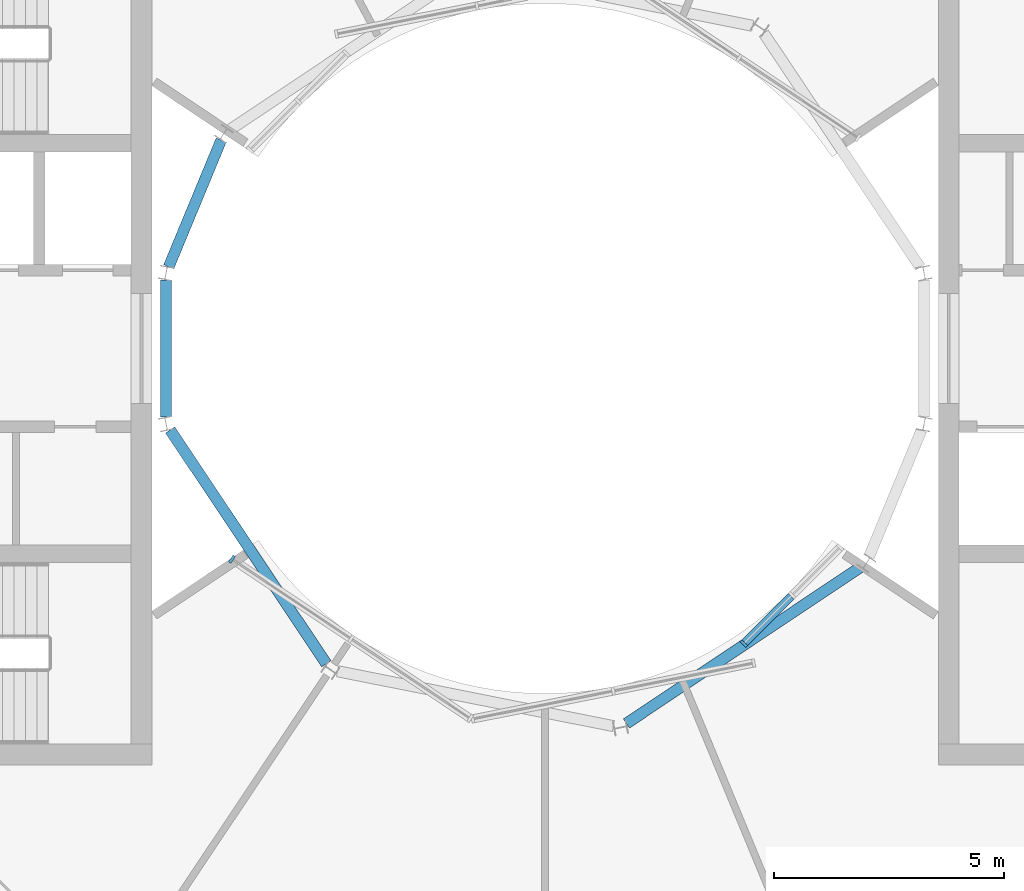
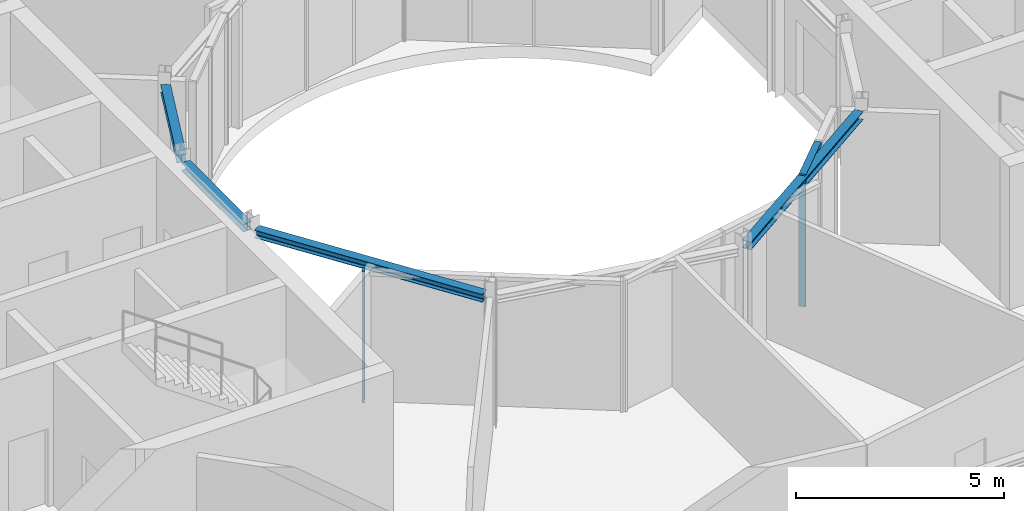
# One storey, part 7 of 22: 4 beams, 3 members, 2 elements without a shape of their own.
"""IFC4 building model written with IfcOpenShell, lengths in metres."""

from ifc_helpers import new_model, si_unit, direction, frame, origin, origin_2d, place, context, subcontext, project, spatial, rectangle, i_section, extrude, material, layer, layer_set, material_profile, profile_set, type_object, element, aggregate, save


model = new_model("IFC4")

# Units and contexts
model_context = context("Model", 3, precision=1e-05, world=origin(), true_north=direction((0.0, 1.0)))
body_context = subcontext(model_context, "Body", "Model", "MODEL_VIEW")
ifc_project = project(units=[si_unit("LENGTHUNIT", "METRE"), si_unit("AREAUNIT", "SQUARE_METRE"), si_unit("VOLUMEUNIT", "CUBIC_METRE"), si_unit("PLANEANGLEUNIT", "RADIAN"), si_unit("MASSUNIT", "GRAM", prefix="KILO")], contexts=[model_context])

# Site, building, storey
site_placement = place(None, origin())
site = spatial("IfcSite", under=ifc_project, at=site_placement, CompositionType="ELEMENT")
building_placement = place(site_placement, origin())
building = spatial("IfcBuilding", under=site, at=building_placement, Name="Maasbend Ring Residences", CompositionType="ELEMENT")
storey_placement = place(building_placement, frame((0.0, 0.0, 208.5)))
storey = spatial("IfcBuildingStorey", under=building, at=storey_placement, Name="L60", CompositionType="ELEMENT", Elevation=208.5)

# Curtain wall, member
ifc_material_1 = material(Name="Aluminium and clear glass", Category="aluminium")
ifc_layer = layer(ifc_material_1, 0.179931640625)
ifc_layer_set = layer_set([ifc_layer], Name="CW-W")
curtain_wall_type = type_object("IfcCurtainWallType", Name="CW-W", PredefinedType="NOTDEFINED", material=ifc_layer_set)
curtain_wall_1_placement = place(storey_placement, origin())
curtain_wall_1 = element("IfcCurtainWall", 1, at=curtain_wall_1_placement, inside=storey, type_object=curtain_wall_type, Name="Well curtain wall S1", PredefinedType="NOTDEFINED")
ifc_material_2 = material(Name="Aluminium 6063-T6", Category="aluminium")
ifc_material_profile_1 = material_profile(ifc_material_2, rectangle(XDim=0.179931640625, YDim=0.06005859375, at=origin_2d()), Name="AL 180x60")
ifc_profile_set_1 = profile_set([ifc_material_profile_1], Name="Aluminium 6063-T6")
member_type_1 = type_object("IfcMemberType", Name="CWM-W", PredefinedType="MULLION", material=ifc_profile_set_1)
member_1_placement = place(storey_placement, frame((-6.805908203125, -4.580810546875, 0.0), z_axis=(0.0, 0.0, 1.0), x_axis=(0.55557023302, 0.831469612303, 0.0)))
member_1 = element("IfcMember", 2, at=member_1_placement, type_object=member_type_1, Name="Mullion well face", PredefinedType="MULLION", context=body_context, shape_type="SweptSolid", body=[
    extrude(rectangle(XDim=0.179931640625, YDim=0.06005859375, at=origin_2d()), origin(), (0.0, 0.0, 1.0), 3.85009765625),
])
aggregate(curtain_wall_1, [member_1])

# Curtain wall, members
curtain_wall_2_placement = place(storey_placement, origin())
curtain_wall_2 = element("IfcCurtainWall", 3, at=curtain_wall_2_placement, inside=storey, type_object=curtain_wall_type, Name="Well curtain wall S3", PredefinedType="NOTDEFINED")
member_2_placement = place(storey_placement, frame((4.320556640625, -6.413330078125, 0.0), z_axis=(0.0, 0.0, 1.0), x_axis=(-0.707106781187, 0.707106781187, 0.0)))
member_2 = element("IfcMember", 4, at=member_2_placement, type_object=member_type_1, Name="Mullion well face", PredefinedType="MULLION", context=body_context, shape_type="SweptSolid", body=[
    extrude(rectangle(XDim=0.179931640625, YDim=0.06005859375, at=origin_2d()), origin(), (0.0, 0.0, 1.0), 3.85009765625),
])
ifc_material_3 = material(Name="Aluminium 6063-T6", Category="aluminium")
ifc_material_profile_2 = material_profile(ifc_material_3, rectangle(XDim=0.179931640625, YDim=0.1201171875, at=origin_2d()), Name="AL 180x120")
ifc_profile_set_2 = profile_set([ifc_material_profile_2], Name="Aluminium 6063-T6")
member_type_2 = type_object("IfcMemberType", Name="CWT-W", PredefinedType="USERDEFINED", material=ifc_profile_set_2)
member_3_placement = place(storey_placement, frame((4.341796875, -6.39208984375, 3.7900390625), z_axis=(0.707106781187, 0.707106781187, 0.0), x_axis=(-0.707106781187, 0.707106781187, 0.0)))
member_3 = element("IfcMember", 5, at=member_3_placement, type_object=member_type_2, Name="Transom well face", ObjectType="TRANSOM", PredefinedType="USERDEFINED", context=body_context, shape_type="SweptSolid", body=[
    extrude(rectangle(XDim=0.179931640625, YDim=0.1201171875, at=origin_2d()), origin(), (0.0, 0.0, 1.0), 1.419677734375),
])
aggregate(curtain_wall_2, [member_2, member_3])

# Beams
ifc_material_4 = material(Name="Steel S355J2", Category="steel")
ifc_material_profile_3 = material_profile(ifc_material_4, i_section(OverallWidth=0.239990234375, OverallDepth=0.22998046875, WebThickness=0.007568359375, FlangeThickness=0.011962890625, FilletRadius=0.02099609375, at=origin_2d()), Name="HEA 240")
ifc_profile_set_3 = profile_set([ifc_material_profile_3], Name="Steel S355J2")
beam_type = type_object("IfcBeamType", Name="Well edge beam HEA 240", PredefinedType="BEAM", material=ifc_profile_set_3)
beam_1_placement = place(storey_placement, frame((-7.041015625, 4.5302734375, 3.735107421875), z_axis=(-0.382614534057, -0.923908068115, 0.0), x_axis=(0.923908068115, -0.382614534057, 0.0)))
element("IfcBeam", 6, at=beam_1_placement, inside=storey, type_object=beam_type, Name="Well edge beam", PredefinedType="BEAM", context=body_context, shape_type="SweptSolid", body=[
    extrude(i_section(OverallWidth=0.239990234375, OverallDepth=0.22998046875, WebThickness=0.007568359375, FlangeThickness=0.011962890625, FilletRadius=0.02099609375, at=origin_2d()), origin(), (0.0, 0.0, 1.0), 2.981689453125),
])
beam_2_placement = place(storey_placement, frame((-8.238525390625, 1.490966796875, 3.735107421875), z_axis=(0.0, -1.0, 0.0), x_axis=(1.0, 0.0, 0.0)))
element("IfcBeam", 7, at=beam_2_placement, inside=storey, type_object=beam_type, Name="Well edge beam", PredefinedType="BEAM", context=body_context, shape_type="SweptSolid", body=[
    extrude(i_section(OverallWidth=0.239990234375, OverallDepth=0.22998046875, WebThickness=0.007568359375, FlangeThickness=0.011962890625, FilletRadius=0.02099609375, at=origin_2d()), origin(), (0.0, 0.0, 1.0), 2.98193359375),
])
for number, where, z_axis, x_axis, name in (
    (8, (-8.1513671875, -1.769287109375, 3.735107421875), (0.555584356119, -0.831460175376, 0.0), (0.831460175376, 0.555584356119, 0.0), "Well edge beam"),
    (9, (1.769287109375, -8.1513671875, 3.735107421875), (0.831460175376, 0.555584356119, 0.0), (-0.555584356119, 0.831460175376, 0.0), "Well edge beam"),
):
    element("IfcBeam", number, at=place(storey_placement, frame(where, z_axis=z_axis, x_axis=x_axis)), inside=storey, type_object=beam_type, Name=name, PredefinedType="BEAM", context=body_context, shape_type="SweptSolid", body=[
        extrude(i_section(OverallWidth=0.239990234375, OverallDepth=0.22998046875, WebThickness=0.007568359375, FlangeThickness=0.011962890625, FilletRadius=0.02099609375, at=origin_2d()), origin(), (0.0, 0.0, 1.0), 6.115234375),
    ])

save(model, "model.ifc")
